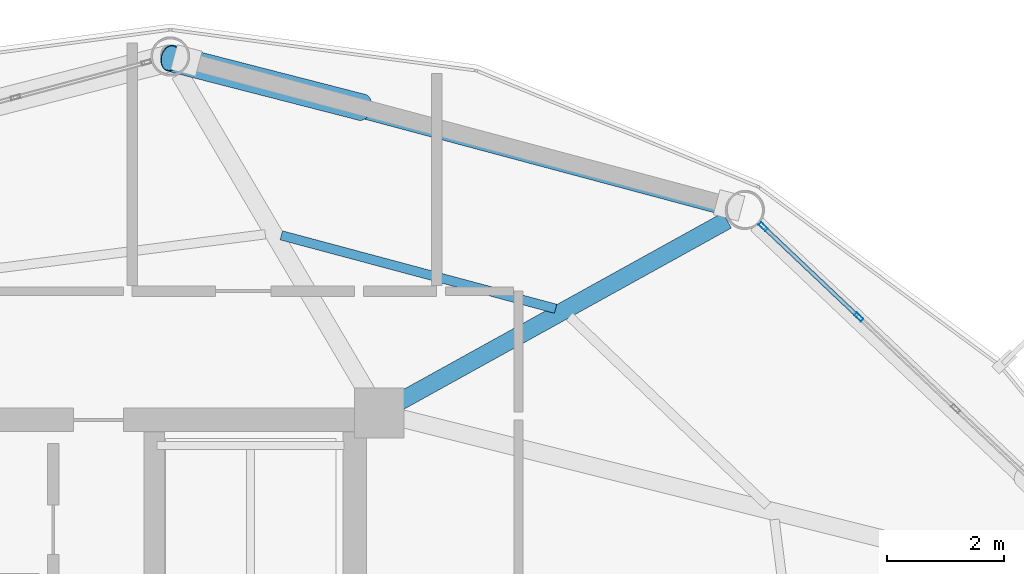
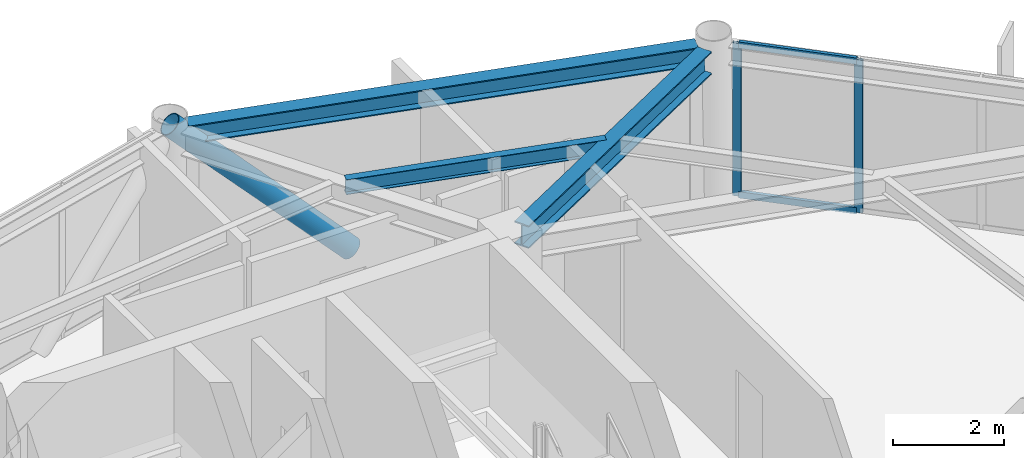
# One storey, part 18 of 25: 5 members, 3 beams, 1 element without a shape of its own.
"""IFC4 building model written with IfcOpenShell, lengths in metres."""

from ifc_helpers import new_model, si_unit, direction, frame, origin, origin_2d, place, context, subcontext, project, spatial, hollow_rectangle, hollow_circle, i_section, extrude, material, layer, layer_set, material_profile, profile_set, type_object, element, aggregate, save


model = new_model("IFC4")

# Units and contexts
model_context = context("Model", 3, precision=1e-05, world=origin(), true_north=direction((0.0, 1.0)))
body_context = subcontext(model_context, "Body", "Model", "MODEL_VIEW")
ifc_project = project(units=[si_unit("LENGTHUNIT", "METRE"), si_unit("AREAUNIT", "SQUARE_METRE"), si_unit("VOLUMEUNIT", "CUBIC_METRE"), si_unit("PLANEANGLEUNIT", "RADIAN"), si_unit("MASSUNIT", "GRAM", prefix="KILO")], contexts=[model_context])

# Site, building, storey
site_placement = place(None, origin())
site = spatial("IfcSite", under=ifc_project, at=site_placement, CompositionType="ELEMENT")
building_placement = place(site_placement, origin())
building = spatial("IfcBuilding", under=site, at=building_placement, Name="Varnakorn Sky Granary", CompositionType="ELEMENT")
storey_placement = place(building_placement, frame((0.0, 0.0, 178.800048828125)))
storey = spatial("IfcBuildingStorey", under=building, at=storey_placement, Name="L44", CompositionType="ELEMENT", Elevation=178.800048828125)

# Beams
ifc_material_1 = material(Name="Steel S355JR", Category="steel")
ifc_material_profile_1 = material_profile(ifc_material_1, i_section(OverallWidth=0.300048828125, OverallDepth=0.5, WebThickness=0.014404296875, FlangeThickness=0.028076171875, at=origin_2d()), Name="HE 500 B")
ifc_profile_set_1 = profile_set([ifc_material_profile_1], Name="Steel S355JR")
beam_type_1 = type_object("IfcBeamType", Name="BM-RAD-Z4", PredefinedType="BEAM", material=ifc_profile_set_1)
beam_1_placement = place(storey_placement, frame((8.7744140625, 12.816162109375, 3.10986328125), z_axis=(0.874959990615, 0.484195223875, 0.0), x_axis=(-0.484195223875, 0.874959990615, 0.0)))
element("IfcBeam", 1, at=beam_1_placement, inside=storey, type_object=beam_type_1, Name="Radial Floor Girder RG03 L44", PredefinedType="BEAM", context=body_context, shape_type="SweptSolid", body=[
    extrude(i_section(OverallWidth=0.300048828125, OverallDepth=0.5, WebThickness=0.014404296875, FlangeThickness=0.028076171875, at=origin_2d()), origin(), (0.0, 0.0, 1.0), 6.388916015625),
])
ifc_material_profile_2 = material_profile(ifc_material_1, i_section(OverallWidth=0.159912109375, OverallDepth=0.330078125, WebThickness=0.007568359375, FlangeThickness=0.011474609375, at=origin_2d()), Name="IPE 330")
ifc_profile_set_2 = profile_set([ifc_material_profile_2], Name="Steel S355JR")
beam_type_2 = type_object("IfcBeamType", Name="BM-SEC-Z4", PredefinedType="BEAM", material=ifc_profile_set_2)
beam_2_placement = place(storey_placement, frame((11.43408203125, 14.399169921875, 3.195068359375), z_axis=(-0.965999011825, 0.258545758335, 0.0), x_axis=(-0.258545758335, -0.965999011825, 0.0)))
element("IfcBeam", 2, at=beam_2_placement, inside=storey, type_object=beam_type_2, Name="Secondary Floor Chord Beam MSB03 L44", PredefinedType="BEAM", context=body_context, shape_type="SweptSolid", body=[
    extrude(i_section(OverallWidth=0.159912109375, OverallDepth=0.330078125, WebThickness=0.007568359375, FlangeThickness=0.011474609375, at=origin_2d()), origin(), (0.0, 0.0, 1.0), 4.851806640625),
])
ifc_material_profile_3 = material_profile(ifc_material_1, i_section(OverallWidth=0.300048828125, OverallDepth=0.39990234375, WebThickness=0.013427734375, FlangeThickness=0.02392578125, at=origin_2d()), Name="HE 400 B")
ifc_profile_set_3 = profile_set([ifc_material_profile_3], Name="Steel S355JR")
beam_type_3 = type_object("IfcBeamType", Name="BM-SPD-Z4", PredefinedType="SPANDREL", material=ifc_profile_set_3)
beam_3_placement = place(storey_placement, frame((14.335693359375, 16.1435546875, 3.159912109375), z_axis=(-0.966007752999, 0.258513096662, 0.0), x_axis=(-0.258513096662, -0.966007752999, 0.0)))
element("IfcBeam", 3, at=beam_3_placement, inside=storey, type_object=beam_type_3, Name="Perimeter Spandrel Ring Beam RB03 L44", PredefinedType="SPANDREL", context=body_context, shape_type="SweptSolid", body=[
    extrude(i_section(OverallWidth=0.300048828125, OverallDepth=0.39990234375, WebThickness=0.013427734375, FlangeThickness=0.02392578125, at=origin_2d()), origin(), (0.0, 0.0, 1.0), 9.50439453125),
])

# Curtain wall, members
ifc_material_2 = material(Name="Anodised Bronze Aluminium Alloy 6063-T6", Category="aluminium")
ifc_layer = layer(ifc_material_2, 0.169921875, Name="Anodised Bronze Aluminium Alloy 6063-T6")
ifc_layer_set = layer_set([ifc_layer], Name="Anodised Bronze Aluminium Alloy 6063-T6")
curtain_wall_type = type_object("IfcCurtainWallType", Name="CW-LAB-1", PredefinedType="USERDEFINED", material=ifc_layer_set)
curtain_wall_placement = place(storey_placement, origin())
curtain_wall = element("IfcCurtainWall", 4, at=curtain_wall_placement, inside=storey, type_object=curtain_wall_type, Name="Unitised Curtain Wall CW5 CW-L44-B02", ObjectType="CURTAIN WALL", PredefinedType="USERDEFINED")
ifc_material_profile_4 = material_profile(ifc_material_2, hollow_rectangle(XDim=0.06494140625, YDim=0.159912109375, WallThickness=0.00341796875, at=origin_2d()), Name="ALU MULL 65x160")
ifc_profile_set_4 = profile_set([ifc_material_profile_4], Name="Anodised Bronze Aluminium Alloy 6063-T6")
member_type_1 = type_object("IfcMemberType", Name="CW-LAB-1-MULL", PredefinedType="MULLION", material=ifc_profile_set_4)
member_1_placement = place(storey_placement, frame((14.98046875, 15.80126953125, 0.0), z_axis=(0.0, 0.0, 1.0), x_axis=(0.687123508986, 0.726540627494, 0.0)))
member_1 = element("IfcMember", 5, at=member_1_placement, type_object=member_type_1, Name="CW5 mullion 1", PredefinedType="MULLION", context=body_context, shape_type="SweptSolid", body=[
    extrude(hollow_rectangle(XDim=0.06494140625, YDim=0.159912109375, WallThickness=0.00341796875, at=origin_2d()), origin(), (0.0, 0.0, 1.0), 3.35986328125),
])
member_2_placement = place(storey_placement, frame((16.613037109375, 14.25732421875, 0.0), z_axis=(0.0, 0.0, 1.0), x_axis=(0.687123508986, 0.726540627494, 0.0)))
member_2 = element("IfcMember", 6, at=member_2_placement, type_object=member_type_1, Name="CW5 mullion 2", PredefinedType="MULLION", context=body_context, shape_type="SweptSolid", body=[
    extrude(hollow_rectangle(XDim=0.06494140625, YDim=0.159912109375, WallThickness=0.00341796875, at=origin_2d()), origin(), (0.0, 0.0, 1.0), 3.35986328125),
])
ifc_material_profile_5 = material_profile(ifc_material_2, hollow_rectangle(XDim=0.070068359375, YDim=0.139892578125, WallThickness=0.00341796875, at=origin_2d()), Name="ALU TRAN 70x140")
ifc_profile_set_5 = profile_set([ifc_material_profile_5], Name="Anodised Bronze Aluminium Alloy 6063-T6")
member_type_2 = type_object("IfcMemberType", Name="CW-LAB-1-TRAN", PredefinedType="USERDEFINED", material=ifc_profile_set_5)
member_3_placement = place(storey_placement, frame((15.004150390625, 15.779052734375, 0.034912109375), z_axis=(0.726469926582, -0.687198257981, 0.0), x_axis=(0.687198257981, 0.726469926582, 0.0)))
member_3 = element("IfcMember", 7, at=member_3_placement, type_object=member_type_2, Name="CW5 transom 1.1", ObjectType="TRANSOM", PredefinedType="USERDEFINED", context=body_context, shape_type="SweptSolid", body=[
    extrude(hollow_rectangle(XDim=0.070068359375, YDim=0.139892578125, WallThickness=0.00341796875, at=origin_2d()), origin(), (0.0, 0.0, 1.0), 2.18212890625),
])
member_4_placement = place(storey_placement, frame((15.004150390625, 15.779052734375, 3.324951171875), z_axis=(0.726469926582, -0.687198257981, 0.0), x_axis=(0.687198257981, 0.726469926582, 0.0)))
member_4 = element("IfcMember", 8, at=member_4_placement, type_object=member_type_2, Name="CW5 transom 1.2", ObjectType="TRANSOM", PredefinedType="USERDEFINED", context=body_context, shape_type="SweptSolid", body=[
    extrude(hollow_rectangle(XDim=0.070068359375, YDim=0.139892578125, WallThickness=0.00341796875, at=origin_2d()), origin(), (0.0, 0.0, 1.0), 2.18212890625),
])
aggregate(curtain_wall, [member_1, member_2, member_3, member_4])

# Member
ifc_material_3 = material(Name="Steel S460M", Category="steel")
ifc_material_profile_6 = material_profile(ifc_material_3, hollow_circle(Radius=0.228515625, WallThickness=0.01611328125, at=origin_2d()), Name="CHS 457x16")
ifc_profile_set_6 = profile_set([ifc_material_profile_6], Name="Steel S460M")
member_type_3 = type_object("IfcMemberType", Name="MB-DIAG-T3", PredefinedType="BRACE", material=ifc_profile_set_6)
member_5_placement = place(storey_placement, frame((8.12451171875, 17.84130859375, 0.0), z_axis=(-0.687001608497, 0.176360463619, 0.70492962542), x_axis=(-0.248648131031, -0.968593881322, 0.0)))
element("IfcMember", 9, at=member_5_placement, inside=storey, type_object=member_type_3, Name="Perimeter CHS Diagrid Brace DG03 L44", PredefinedType="BRACE", context=body_context, shape_type="SweptSolid", body=[
    extrude(hollow_circle(Radius=0.228515625, WallThickness=0.01611328125, at=origin_2d()), origin(), (0.0, 0.0, 1.0), 4.766357421875),
])

save(model, "model.ifc")
